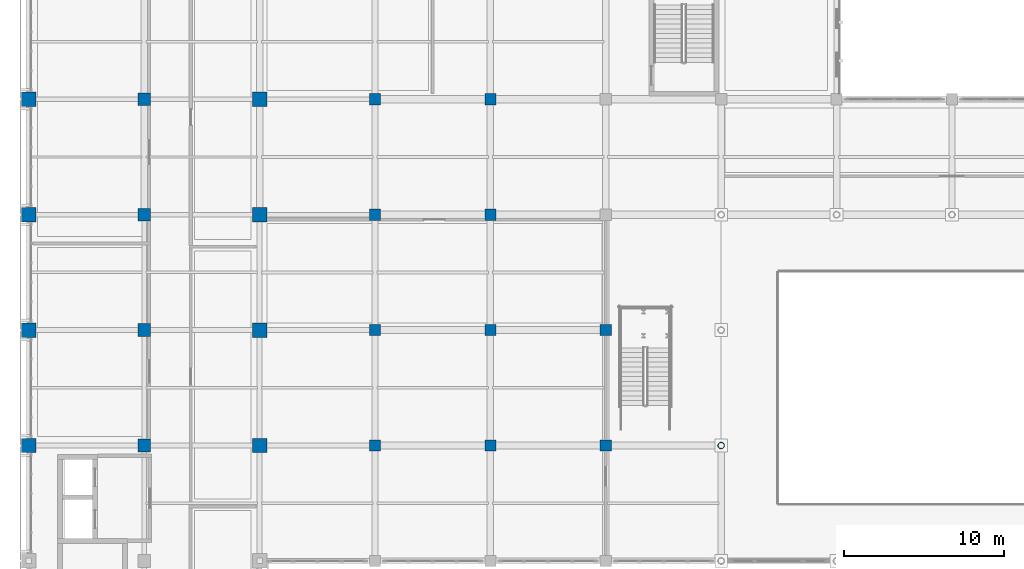
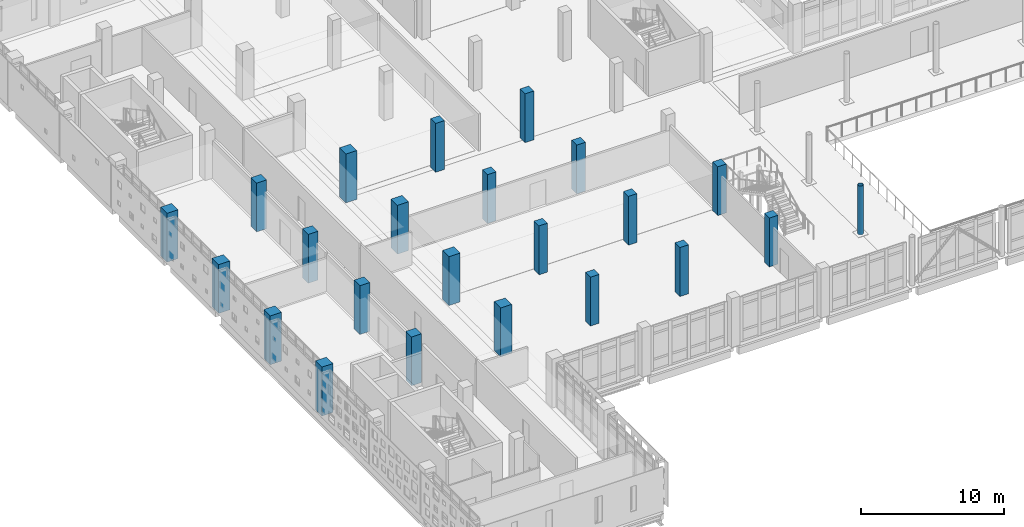
# One storey, part 3 of 62: 23 columns.
"""IFC4 building model written with IfcOpenShell, lengths in metres."""

import ifcopenshell
import ifcopenshell.guid

model = None  # the IFC model being written
_history = None  # IfcOwnerHistory: only IFC2X3 demands one
_inside = {}  # id of a spatial element -> (the spatial element, [elements in it])
_under = {}  # id of a project, library or spatial element -> (it, [spatial elements below it])
_declared = {}  # id of a project -> (the project, [libraries it declares])
_typed = {}  # id of a type object -> (the type object, [elements of that type])
_made_of = {}  # id of a material, layer set ... -> (it, [elements and type objects made of it])


def new_model(schema):
    """Start an empty IFC model of exactly this schema.

    Asked for "IFC4X3", IfcOpenShell would pick the latest addendum, in which some entities
    have other attributes; the version numbers below select the first issue.
    IFC2X3 requires an IfcOwnerHistory on every rooted entity: one is made here for all.
    """
    global model, _history
    if schema == "IFC4X3":
        model = ifcopenshell.file(schema_version=(4, 3, 0, 0))
    else:
        model = ifcopenshell.file(schema=schema)
    _inside.clear()
    _under.clear()
    _declared.clear()
    _typed.clear()
    _made_of.clear()
    _history = None
    if model.schema == "IFC2X3":
        org = make("IfcOrganization", Name="unknown")
        user = make(
            "IfcPersonAndOrganization",
            ThePerson=make("IfcPerson", FamilyName="unknown"),
            TheOrganization=org,
        )
        app = make(
            "IfcApplication",
            ApplicationDeveloper=org,
            Version="unknown",
            ApplicationFullName="unknown",
            ApplicationIdentifier="unknown",
        )
        _history = make(
            "IfcOwnerHistory",
            OwningUser=user,
            OwningApplication=app,
            ChangeAction="ADDED",
            CreationDate=0,
        )
    return model


def make(cls, **values):
    """One entity of the class cls with the attributes given. An attribute that is None is left unset."""
    return model.create_entity(
        cls, **{name: value for name, value in values.items() if value is not None}
    )


def rooted(cls, **values):
    """An entity with a GlobalId (a new one), such as an element, a storey or a relation."""
    return make(cls, GlobalId=ifcopenshell.guid.new(), OwnerHistory=_history, **values)


def si_unit(unit_type, name, prefix=None):
    """IfcSIUnit, for example si_unit("LENGTHUNIT", "METRE", prefix="MILLI")."""
    return make("IfcSIUnit", UnitType=unit_type, Prefix=prefix, Name=name)


def assignment(units):
    """IfcUnitAssignment: the units of a project."""
    return None if units is None else make("IfcUnitAssignment", Units=units)


def point(xyz):
    """IfcCartesianPoint."""
    return None if xyz is None else make("IfcCartesianPoint", Coordinates=xyz)


def direction(xyz):
    """IfcDirection."""
    return None if xyz is None else make("IfcDirection", DirectionRatios=xyz)


def frame(location, z_axis=None, x_axis=None):
    """IfcAxis2Placement3D, a coordinate frame: its origin and axes. An axis left out is left unset."""
    return make(
        "IfcAxis2Placement3D",
        Location=point(location),
        Axis=direction(z_axis),
        RefDirection=direction(x_axis),
    )


def frame_2d(location, x_axis=None):
    """IfcAxis2Placement2D, a coordinate frame in the plane: its origin and x axis."""
    return make(
        "IfcAxis2Placement2D", Location=point(location), RefDirection=direction(x_axis)
    )


def origin():
    """The frame at (0, 0, 0) with its axes left unset."""
    return frame((0.0, 0.0, 0.0))


def origin_2d():
    """The frame at (0, 0) in the plane with its x axis left unset."""
    return frame_2d((0.0, 0.0))


def place(relative_to, where):
    """IfcLocalPlacement: puts the frame where relative to a parent placement (None: the world)."""
    return make(
        "IfcLocalPlacement", PlacementRelTo=relative_to, RelativePlacement=where
    )


def context(
    kind, dimensions, precision=None, world=None, true_north=None, identifier=None
):
    """IfcGeometricRepresentationContext, for example the 3D "Model" context."""
    return make(
        "IfcGeometricRepresentationContext",
        ContextIdentifier=identifier,
        ContextType=kind,
        CoordinateSpaceDimension=dimensions,
        Precision=precision,
        WorldCoordinateSystem=world,
        TrueNorth=true_north,
    )


def subcontext(parent, identifier, kind, view, scale=None):
    """IfcGeometricRepresentationSubContext, for example "Body" below "Model"."""
    return make(
        "IfcGeometricRepresentationSubContext",
        ContextIdentifier=identifier,
        ContextType=kind,
        ParentContext=parent,
        TargetScale=scale,
        TargetView=view,
    )


def project(units=None, contexts=None):
    """IfcProject with its units and contexts."""
    return rooted(
        "IfcProject",
        Name="project",
        RepresentationContexts=contexts,
        UnitsInContext=assignment(units),
    )


def spatial(cls, under=None, at=None, **own):
    """A site, building, storey or space (cls), placed at a placement, below another one or the project."""
    s = rooted(cls, ObjectPlacement=at, **own)
    if under is not None:
        _under.setdefault(under.id(), (under, []))[1].append(s)
    return s


def profile(cls, at=None, kind="AREA", **sizes):
    """A parametric profile (cls). Its sizes go by their IFC names, for example OverallWidth=200.0."""
    return make(cls, ProfileType=kind, Position=at, **sizes)


def rectangle(**sizes):
    """IfcRectangleProfileDef."""
    return profile("IfcRectangleProfileDef", **sizes)


def hollow_circle(**sizes):
    """IfcCircleHollowProfileDef."""
    return profile("IfcCircleHollowProfileDef", **sizes)


def extrude(swept, where, along, depth):
    """IfcExtrudedAreaSolid: the profile swept, set in the frame where, extruded along a direction by depth."""
    return make(
        "IfcExtrudedAreaSolid",
        SweptArea=swept,
        Position=where,
        ExtrudedDirection=direction(along),
        Depth=depth,
    )


def shape(context_of_items, identifier, shape_type, items):
    """IfcShapeRepresentation: the items that make up one representation, for example the "Body"."""
    return make(
        "IfcShapeRepresentation",
        ContextOfItems=context_of_items,
        RepresentationIdentifier=identifier,
        RepresentationType=shape_type,
        Items=items,
    )


def material(Name=None, Category=None):
    """IfcMaterial."""
    return make("IfcMaterial", Name=Name, Category=Category)


def material_profile(
    of_material, cross_section, Name=None, Category=None, Priority=None
):
    """IfcMaterialProfile: a cross section and its material."""
    return make(
        "IfcMaterialProfile",
        Name=Name,
        Material=of_material,
        Profile=cross_section,
        Priority=Priority,
        Category=Category,
    )


def profile_set(profiles, Name=None, composite=None):
    """IfcMaterialProfileSet."""
    return make(
        "IfcMaterialProfileSet",
        Name=Name,
        MaterialProfiles=profiles,
        CompositeProfile=composite,
    )


def made_of(thing, what):
    """Note that an element or type object is made of a material, layer set ...; save() writes the relation."""
    if what is not None:
        _made_of.setdefault(what.id(), (what, []))[1].append(thing)
    return thing


def type_object(cls, material=None, **own):
    """A type object (cls), such as IfcWallType, which elements share."""
    return made_of(rooted(cls, **own), material)


def element(
    cls,
    number,
    at=None,
    inside=None,
    cuts=None,
    type_object=None,
    material=None,
    context=None,
    identifier="Body",
    shape_type=None,
    held_by="IfcProductDefinitionShape",
    body=None,
    shapes=None,
    **own,
):
    """One element of the class cls, such as IfcWall. Its Tag is "e" and its number.

    at: its placement. inside: the storey or other place that contains it. cuts: it is an
    opening in that element (IfcRelVoidsElement). A single representation is given by context,
    identifier, shape_type and body (its items); several are given by shapes. held_by: the class
    of the entity that holds the representations. save() writes the other relations.
    """
    e = rooted(cls, Tag="e%d" % number, ObjectPlacement=at, **own)
    if body is not None:
        shapes = [shape(context, identifier, shape_type, body)]
    if shapes is not None:
        e.Representation = make(held_by, Representations=shapes)
    if inside is not None:
        _inside.setdefault(inside.id(), (inside, []))[1].append(e)
    if cuts is not None:
        rooted(
            "IfcRelVoidsElement", RelatingBuildingElement=cuts, RelatedOpeningElement=e
        )
    if type_object is not None:
        _typed.setdefault(type_object.id(), (type_object, []))[1].append(e)
    return made_of(e, material)


def aggregate(whole, parts):
    """IfcRelAggregates: a whole, such as a stair, and the parts it consists of."""
    return rooted("IfcRelAggregates", RelatingObject=whole, RelatedObjects=parts)


def save(model, path):
    """Write the relations noted so far, then the file.

    IfcRelAggregates (storeys below a building ...), IfcRelContainedInSpatialStructure (elements
    in a storey), IfcRelDefinesByType, IfcRelAssociatesMaterial and IfcRelDeclares: one each for
    every whole, place, type object, material and project.
    """
    for whole, parts in _under.values():
        aggregate(whole, parts)
    for where, things in _inside.values():
        rooted(
            "IfcRelContainedInSpatialStructure",
            RelatedElements=things,
            RelatingStructure=where,
        )
    for kind, things in _typed.values():
        rooted("IfcRelDefinesByType", RelatedObjects=things, RelatingType=kind)
    for what, things in _made_of.values():
        rooted("IfcRelAssociatesMaterial", RelatedObjects=things, RelatingMaterial=what)
    for by, libraries in _declared.values():
        rooted("IfcRelDeclares", RelatingContext=by, RelatedDefinitions=libraries)
    model.write(path)


model = new_model("IFC4")

# Units and contexts
model_context = context("Model", 3, precision=1e-05, world=origin(), true_north=direction((0.0, 1.0)))
body_context = subcontext(model_context, "Body", "Model", "MODEL_VIEW")
ifc_project = project(units=[si_unit("LENGTHUNIT", "METRE"), si_unit("AREAUNIT", "SQUARE_METRE"), si_unit("VOLUMEUNIT", "CUBIC_METRE"), si_unit("PLANEANGLEUNIT", "RADIAN"), si_unit("MASSUNIT", "GRAM", prefix="KILO")], contexts=[model_context])

# Site, building, storey
site_placement = place(None, origin())
site = spatial("IfcSite", under=ifc_project, at=site_placement, CompositionType="ELEMENT")
building_placement = place(site_placement, origin())
building = spatial("IfcBuilding", under=site, at=building_placement, Name="Valkovuoma Quantum and Materials Research Institute", CompositionType="ELEMENT")
storey_placement = place(building_placement, frame((0.0, 0.0, 8.9599609375)))
storey = spatial("IfcBuildingStorey", under=building, at=storey_placement, Name="L02", CompositionType="ELEMENT", Elevation=8.9599609375)

# Columns
ifc_material_1 = material(Name="Steel S355J2H", Category="steel")
ifc_material_profile_1 = material_profile(ifc_material_1, hollow_circle(Radius=0.203125, WallThickness=0.01611328125, at=origin_2d()), Name="Steel S355J2H")
ifc_profile_set_1 = profile_set([ifc_material_profile_1], Name="Steel S355J2H")
column_type_1 = type_object("IfcColumnType", Name="Col-C-CHS406", PredefinedType="COLUMN", material=ifc_profile_set_1)
column_placement = place(storey_placement, frame((43.199951171875, 43.199951171875, 0.0), z_axis=(0.0, 0.0, 1.0), x_axis=(1.0, 0.0, 0.0)))
element("IfcColumn", 1, at=column_placement, inside=storey, type_object=column_type_1, Name="L02 column 07G", PredefinedType="COLUMN", context=body_context, shape_type="SweptSolid", body=[
    extrude(hollow_circle(Radius=0.203125, WallThickness=0.01611328125, at=origin_2d()), origin(), (0.0, 0.0, 1.0), 4.16015625),
])
ifc_material_2 = material(Name="Concrete C40/50", Category="concrete")
ifc_material_profile_2 = material_profile(ifc_material_2, rectangle(XDim=0.699951171875, YDim=0.699951171875, at=origin_2d()), Name="Concrete C40/50")
ifc_profile_set_2 = profile_set([ifc_material_profile_2], Name="Concrete C40/50")
column_type_2 = type_object("IfcColumnType", Name="Col-C-RC700", PredefinedType="COLUMN", material=ifc_profile_set_2)
for number, where, z_axis, x_axis, name in (
    (2, (21.60009765625, 43.199951171875, 0.0), (0.0, 0.0, 1.0), (1.0, 0.0, 0.0), "L02 column 04G"),
    (3, (21.60009765625, 50.39990234375, 0.0), (0.0, 0.0, 1.0), (1.0, 0.0, 0.0), "L02 column 04H"),
    (4, (21.60009765625, 57.60009765625, 0.0), (0.0, 0.0, 1.0), (1.0, 0.0, 0.0), "L02 column 04J"),
    (5, (21.60009765625, 64.800048828125, 0.0), (0.0, 0.0, 1.0), (1.0, 0.0, 0.0), "L02 column 04K"),
    (6, (28.800048828125, 43.199951171875, 0.0), (0.0, 0.0, 1.0), (1.0, 0.0, 0.0), "L02 column 05G"),
    (7, (28.800048828125, 50.39990234375, 0.0), (0.0, 0.0, 1.0), (1.0, 0.0, 0.0), "L02 column 05H"),
    (8, (28.800048828125, 57.60009765625, 0.0), (0.0, 0.0, 1.0), (1.0, 0.0, 0.0), "L02 column 05J"),
    (9, (28.800048828125, 64.800048828125, 0.0), (0.0, 0.0, 1.0), (1.0, 0.0, 0.0), "L02 column 05K"),
    (10, (36.0, 43.199951171875, 0.0), (0.0, 0.0, 1.0), (1.0, 0.0, 0.0), "L02 column 06G"),
    (11, (36.0, 50.39990234375, 0.0), (0.0, 0.0, 1.0), (1.0, 0.0, 0.0), "L02 column 06H"),
):
    element("IfcColumn", number, at=place(storey_placement, frame(where, z_axis=z_axis, x_axis=x_axis)), inside=storey, type_object=column_type_2, Name=name, PredefinedType="COLUMN", context=body_context, shape_type="SweptSolid", body=[
        extrude(rectangle(XDim=0.699951171875, YDim=0.699951171875, at=origin_2d()), origin(), (0.0, 0.0, 1.0), 4.16015625),
    ])
ifc_material_3 = material(Name="Concrete C50/60", Category="concrete")
ifc_material_profile_3 = material_profile(ifc_material_3, rectangle(XDim=0.800048828125, YDim=0.800048828125, at=origin_2d()), Name="Concrete C50/60")
ifc_profile_set_3 = profile_set([ifc_material_profile_3], Name="Concrete C50/60")
column_type_3 = type_object("IfcColumnType", Name="Col-C-RC800", PredefinedType="COLUMN", material=ifc_profile_set_3)
for number, where, z_axis, x_axis, name in (
    (12, (7.199951171875, 43.199951171875, 0.0), (0.0, 0.0, 1.0), (1.0, 0.0, 0.0), "L02 column 02G"),
    (13, (7.199951171875, 50.39990234375, 0.0), (0.0, 0.0, 1.0), (1.0, 0.0, 0.0), "L02 column 02H"),
    (14, (7.199951171875, 57.60009765625, 0.0), (0.0, 0.0, 1.0), (1.0, 0.0, 0.0), "L02 column 02J"),
    (15, (7.199951171875, 64.800048828125, 0.0), (0.0, 0.0, 1.0), (1.0, 0.0, 0.0), "L02 column 02K"),
):
    element("IfcColumn", number, at=place(storey_placement, frame(where, z_axis=z_axis, x_axis=x_axis)), inside=storey, type_object=column_type_3, Name=name, PredefinedType="COLUMN", context=body_context, shape_type="SweptSolid", body=[
        extrude(rectangle(XDim=0.800048828125, YDim=0.800048828125, at=origin_2d()), origin(), (0.0, 0.0, 1.0), 4.16015625),
    ])
ifc_material_4 = material(Name="Concrete C50/60", Category="concrete")
ifc_material_profile_4 = material_profile(ifc_material_4, rectangle(XDim=0.89990234375, YDim=0.89990234375, at=origin_2d()), Name="Concrete C50/60")
ifc_profile_set_4 = profile_set([ifc_material_profile_4], Name="Concrete C50/60")
column_type_4 = type_object("IfcColumnType", Name="Col-C-RC900", PredefinedType="COLUMN", material=ifc_profile_set_4)
for number, where, z_axis, x_axis, name in (
    (16, (0.0, 43.199951171875, 0.0), (0.0, 0.0, 1.0), (1.0, 0.0, 0.0), "L02 column 01G"),
    (17, (0.0, 50.39990234375, 0.0), (0.0, 0.0, 1.0), (1.0, 0.0, 0.0), "L02 column 01H"),
    (18, (0.0, 57.60009765625, 0.0), (0.0, 0.0, 1.0), (1.0, 0.0, 0.0), "L02 column 01J"),
    (19, (0.0, 64.800048828125, 0.0), (0.0, 0.0, 1.0), (1.0, 0.0, 0.0), "L02 column 01K"),
    (20, (14.39990234375, 43.199951171875, 0.0), (0.0, 0.0, 1.0), (1.0, 0.0, 0.0), "L02 column 03G"),
    (21, (14.39990234375, 50.39990234375, 0.0), (0.0, 0.0, 1.0), (1.0, 0.0, 0.0), "L02 column 03H"),
    (22, (14.39990234375, 57.60009765625, 0.0), (0.0, 0.0, 1.0), (1.0, 0.0, 0.0), "L02 column 03J"),
    (23, (14.39990234375, 64.800048828125, 0.0), (0.0, 0.0, 1.0), (1.0, 0.0, 0.0), "L02 column 03K"),
):
    element("IfcColumn", number, at=place(storey_placement, frame(where, z_axis=z_axis, x_axis=x_axis)), inside=storey, type_object=column_type_4, Name=name, PredefinedType="COLUMN", context=body_context, shape_type="SweptSolid", body=[
        extrude(rectangle(XDim=0.89990234375, YDim=0.89990234375, at=origin_2d()), origin(), (0.0, 0.0, 1.0), 4.16015625),
    ])

save(model, "model.ifc")
